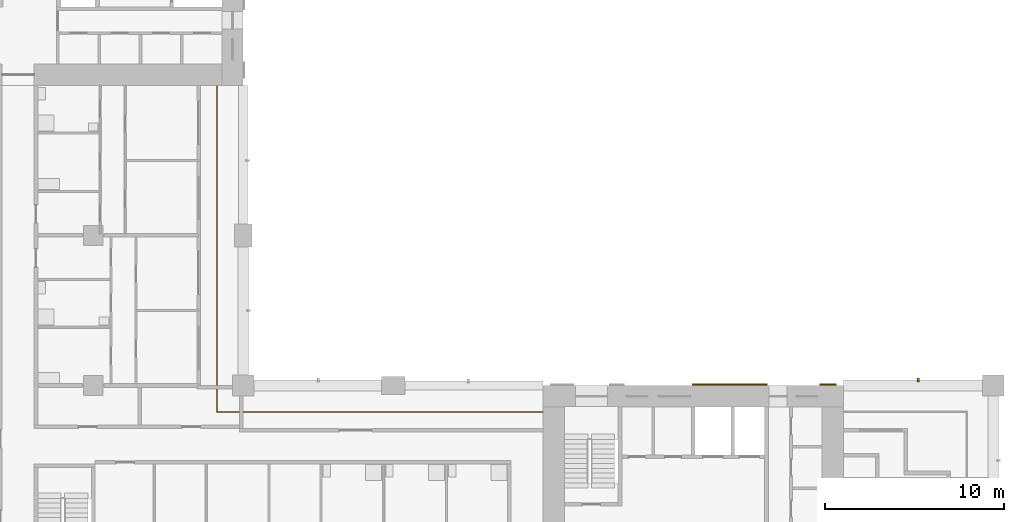
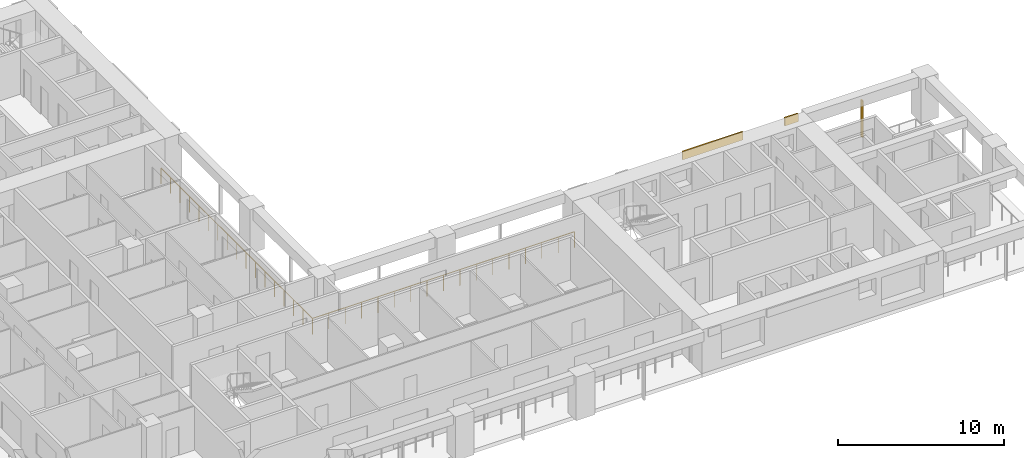
# One storey, part 14 of 17: 3 shading devices, 1 railing.
"""IFC4 building model written with IfcOpenShell, lengths in metres."""

from ifc_helpers import new_model, si_unit, direction, frame, origin, origin_2d, place, context, subcontext, project, spatial, rectangle, circle, extrude, material, layer, layer_set, material_profile, profile_set, type_object, element, save


model = new_model("IFC4")

# Units and contexts
model_context = context("Model", 3, precision=1e-05, world=origin(), true_north=direction((0.0, 1.0)))
body_context = subcontext(model_context, "Body", "Model", "MODEL_VIEW")
ifc_project = project(units=[si_unit("LENGTHUNIT", "METRE"), si_unit("AREAUNIT", "SQUARE_METRE"), si_unit("VOLUMEUNIT", "CUBIC_METRE"), si_unit("PLANEANGLEUNIT", "RADIAN"), si_unit("MASSUNIT", "GRAM", prefix="KILO")], contexts=[model_context])

# Site, building, storey
site_placement = place(None, origin())
site = spatial("IfcSite", under=ifc_project, at=site_placement, CompositionType="ELEMENT")
building_placement = place(site_placement, origin())
building = spatial("IfcBuilding", under=site, at=building_placement, Name="Vermilion Gate Residences", CompositionType="ELEMENT")
storey_placement = place(building_placement, frame((0.0, 0.0, 95.199951171875)))
storey = spatial("IfcBuildingStorey", under=building, at=storey_placement, Name="L23", CompositionType="ELEMENT", Elevation=95.199951171875)

# Railing
ifc_material_1 = material(Name="Stainless steel and toughened glass", Category="steel")
railing_type = type_object("IfcRailingType", Name="LOGGIA GUARD STEEL AND GLASS 1200", PredefinedType="GUARDRAIL", material=ifc_material_1)
railing_placement = place(storey_placement, frame((41.97802734375, 23.72509765625, 0.0)))
element("IfcRailing", 1, at=railing_placement, inside=storey, type_object=railing_type, Name="Loggia guard", PredefinedType="GUARDRAIL", context=body_context, shape_type="SweptSolid", body=[
    extrude(circle(Radius=0.030029296875, at=origin_2d()), frame((0.0, 0.0, 1.169921875), z_axis=(-1.0, 0.0, 0.0), x_axis=(0.0, -1.0, 0.0)), (0.0, 0.0, 1.0), 18.2529296875),
    extrude(circle(Radius=0.030029296875, at=origin_2d()), frame((-18.2529296875, 0.0, 1.169921875), z_axis=(0.0, 1.0, 0.0), x_axis=(-1.0, 0.0, 0.0)), (0.0, 0.0, 1.0), 18.2529296875),
    extrude(circle(Radius=0.02490234375, at=origin_2d()), origin(), (0.0, 0.0, 1.0), 1.139892578125),
    extrude(circle(Radius=0.02490234375, at=origin_2d()), frame((-1.140869140625, 0.0, 0.0)), (0.0, 0.0, 1.0), 1.139892578125),
    extrude(circle(Radius=0.02490234375, at=origin_2d()), frame((-2.28173828125, 0.0, 0.0)), (0.0, 0.0, 1.0), 1.139892578125),
    extrude(circle(Radius=0.02490234375, at=origin_2d()), frame((-3.42236328125, 0.0, 0.0)), (0.0, 0.0, 1.0), 1.139892578125),
    extrude(circle(Radius=0.02490234375, at=origin_2d()), frame((-4.563232421875, 0.0, 0.0)), (0.0, 0.0, 1.0), 1.139892578125),
    extrude(circle(Radius=0.02490234375, at=origin_2d()), frame((-5.7041015625, 0.0, 0.0)), (0.0, 0.0, 1.0), 1.139892578125),
    extrude(circle(Radius=0.02490234375, at=origin_2d()), frame((-6.8447265625, 0.0, 0.0)), (0.0, 0.0, 1.0), 1.139892578125),
    extrude(circle(Radius=0.02490234375, at=origin_2d()), frame((-7.985595703125, 0.0, 0.0)), (0.0, 0.0, 1.0), 1.139892578125),
    extrude(circle(Radius=0.02490234375, at=origin_2d()), frame((-9.12646484375, 0.0, 0.0)), (0.0, 0.0, 1.0), 1.139892578125),
    extrude(circle(Radius=0.02490234375, at=origin_2d()), frame((-10.267333984375, 0.0, 0.0)), (0.0, 0.0, 1.0), 1.139892578125),
    extrude(circle(Radius=0.02490234375, at=origin_2d()), frame((-11.408203125, 0.0, 0.0)), (0.0, 0.0, 1.0), 1.139892578125),
    extrude(circle(Radius=0.02490234375, at=origin_2d()), frame((-12.548828125, 0.0, 0.0)), (0.0, 0.0, 1.0), 1.139892578125),
    extrude(circle(Radius=0.02490234375, at=origin_2d()), frame((-13.689697265625, 0.0, 0.0)), (0.0, 0.0, 1.0), 1.139892578125),
    extrude(circle(Radius=0.02490234375, at=origin_2d()), frame((-14.83056640625, 0.0, 0.0)), (0.0, 0.0, 1.0), 1.139892578125),
    extrude(circle(Radius=0.02490234375, at=origin_2d()), frame((-15.97119140625, 0.0, 0.0)), (0.0, 0.0, 1.0), 1.139892578125),
    extrude(circle(Radius=0.02490234375, at=origin_2d()), frame((-17.112060546875, 0.0, 0.0)), (0.0, 0.0, 1.0), 1.139892578125),
    extrude(circle(Radius=0.02490234375, at=origin_2d()), frame((-18.2529296875, 0.0, 0.0)), (0.0, 0.0, 1.0), 1.139892578125),
    extrude(circle(Radius=0.02490234375, at=origin_2d()), frame((-18.2529296875, 1.140869140625, 0.0)), (0.0, 0.0, 1.0), 1.139892578125),
    extrude(circle(Radius=0.02490234375, at=origin_2d()), frame((-18.2529296875, 2.28173828125, 0.0)), (0.0, 0.0, 1.0), 1.139892578125),
    extrude(circle(Radius=0.02490234375, at=origin_2d()), frame((-18.2529296875, 3.42236328125, 0.0)), (0.0, 0.0, 1.0), 1.139892578125),
    extrude(circle(Radius=0.02490234375, at=origin_2d()), frame((-18.2529296875, 4.563232421875, 0.0)), (0.0, 0.0, 1.0), 1.139892578125),
    extrude(circle(Radius=0.02490234375, at=origin_2d()), frame((-18.2529296875, 5.7041015625, 0.0)), (0.0, 0.0, 1.0), 1.139892578125),
    extrude(circle(Radius=0.02490234375, at=origin_2d()), frame((-18.2529296875, 6.8447265625, 0.0)), (0.0, 0.0, 1.0), 1.139892578125),
    extrude(circle(Radius=0.02490234375, at=origin_2d()), frame((-18.2529296875, 7.985595703125, 0.0)), (0.0, 0.0, 1.0), 1.139892578125),
    extrude(circle(Radius=0.02490234375, at=origin_2d()), frame((-18.2529296875, 9.12646484375, 0.0)), (0.0, 0.0, 1.0), 1.139892578125),
    extrude(circle(Radius=0.02490234375, at=origin_2d()), frame((-18.2529296875, 10.267333984375, 0.0)), (0.0, 0.0, 1.0), 1.139892578125),
    extrude(circle(Radius=0.02490234375, at=origin_2d()), frame((-18.2529296875, 11.408203125, 0.0)), (0.0, 0.0, 1.0), 1.139892578125),
    extrude(circle(Radius=0.02490234375, at=origin_2d()), frame((-18.2529296875, 12.548828125, 0.0)), (0.0, 0.0, 1.0), 1.139892578125),
    extrude(circle(Radius=0.02490234375, at=origin_2d()), frame((-18.2529296875, 13.689697265625, 0.0)), (0.0, 0.0, 1.0), 1.139892578125),
    extrude(circle(Radius=0.02490234375, at=origin_2d()), frame((-18.2529296875, 14.83056640625, 0.0)), (0.0, 0.0, 1.0), 1.139892578125),
    extrude(circle(Radius=0.02490234375, at=origin_2d()), frame((-18.2529296875, 15.97119140625, 0.0)), (0.0, 0.0, 1.0), 1.139892578125),
    extrude(circle(Radius=0.02490234375, at=origin_2d()), frame((-18.2529296875, 17.112060546875, 0.0)), (0.0, 0.0, 1.0), 1.139892578125),
    extrude(circle(Radius=0.02490234375, at=origin_2d()), frame((-18.2529296875, 18.2529296875, 0.0)), (0.0, 0.0, 1.0), 1.139892578125),
])

# Shading devices
ifc_material_2 = material(Name="Extruded terracotta", Category="masonry")
ifc_material_profile = material_profile(ifc_material_2, rectangle(XDim=0.199951171875, YDim=0.10009765625, at=origin_2d()), Name="BAGUETTE 100 X 200")
ifc_profile_set = profile_set([ifc_material_profile], Name="Extruded terracotta")
shading_device_type_1 = type_object("IfcShadingDeviceType", Name="TERRACOTTA BAGUETTE 100 X 200", PredefinedType="JALOUSIE", material=ifc_profile_set)
shading_device_1_placement = place(storey_placement, frame((63.0, 25.5, -0.280029296875), z_axis=(0.0, 0.0, 1.0), x_axis=(0.0, -1.0, 0.0)))
element("IfcShadingDevice", 2, at=shading_device_1_placement, inside=storey, type_object=shading_device_type_1, Name="BAGUETTE", PredefinedType="JALOUSIE", context=body_context, shape_type="SweptSolid", body=[
    extrude(rectangle(XDim=0.199951171875, YDim=0.10009765625, at=origin_2d()), origin(), (0.0, 0.0, 1.0), 2.7001953125),
])
ifc_material_3 = material(Name="Extruded terracotta", Category="masonry")
ifc_layer = layer(ifc_material_3, 0.10009765625)
ifc_layer_set = layer_set([ifc_layer], Name="TERRACOTTA SPANDREL BAND 600 X 100")
shading_device_type_2 = type_object("IfcShadingDeviceType", Name="TERRACOTTA SPANDREL BAND 600 X 100", PredefinedType="USERDEFINED", material=ifc_layer_set)
shading_device_2_placement = place(storey_placement, frame((52.449951171875, 25.25, 2.6201171875), z_axis=(0.0, 0.0, 1.0), x_axis=(1.0, 0.0, 0.0)))
element("IfcShadingDevice", 3, at=shading_device_2_placement, inside=storey, type_object=shading_device_type_2, Name="SPANDREL BAND", ObjectType="BAND", PredefinedType="USERDEFINED", context=body_context, shape_type="SweptSolid", body=[
    extrude(rectangle(XDim=4.199951171875, YDim=0.10009765625, at=origin_2d()), origin(), (0.0, 0.0, 1.0), 0.60009765625),
])
shading_device_3_placement = place(storey_placement, frame((57.9375, 25.25, 2.6201171875), z_axis=(0.0, 0.0, 1.0), x_axis=(1.0, 0.0, 0.0)))
element("IfcShadingDevice", 4, at=shading_device_3_placement, inside=storey, type_object=shading_device_type_2, Name="SPANDREL BAND", ObjectType="BAND", PredefinedType="USERDEFINED", context=body_context, shape_type="SweptSolid", body=[
    extrude(rectangle(XDim=0.925048828125, YDim=0.10009765625, at=origin_2d()), origin(), (0.0, 0.0, 1.0), 0.60009765625),
])

save(model, "model.ifc")
